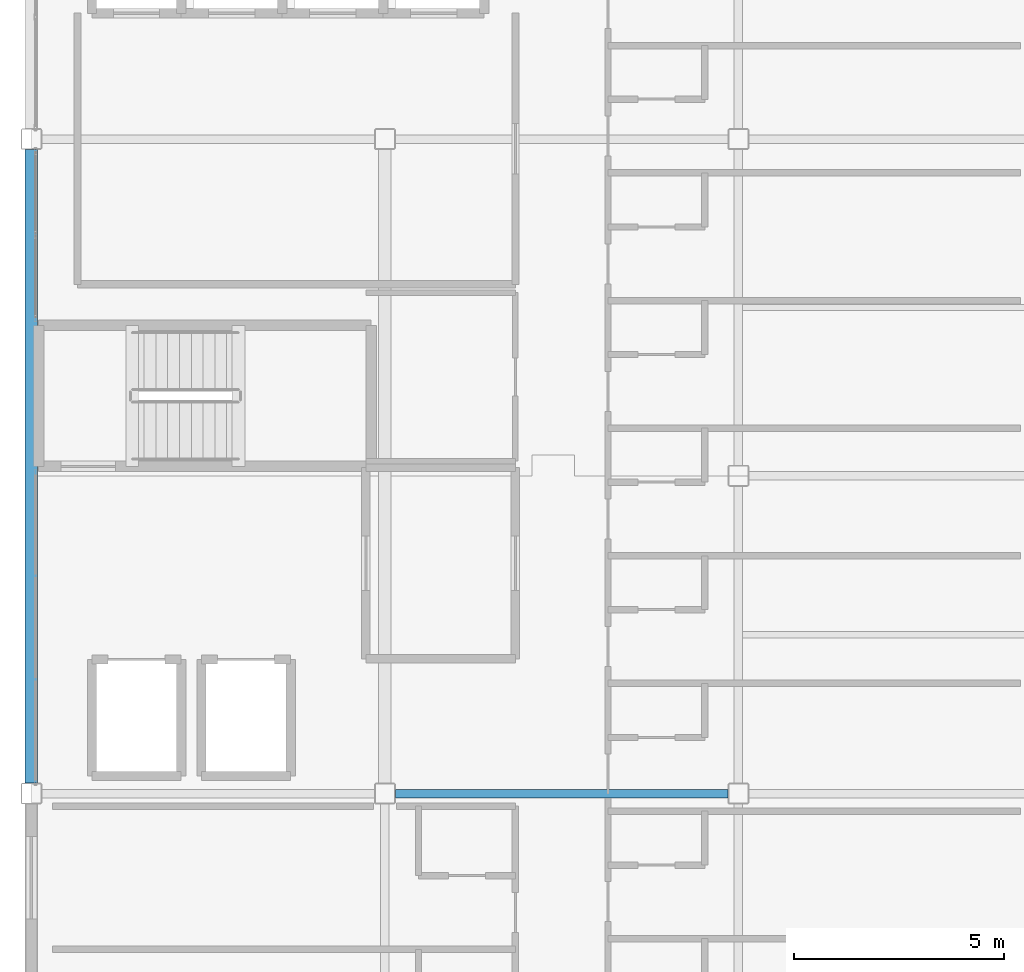
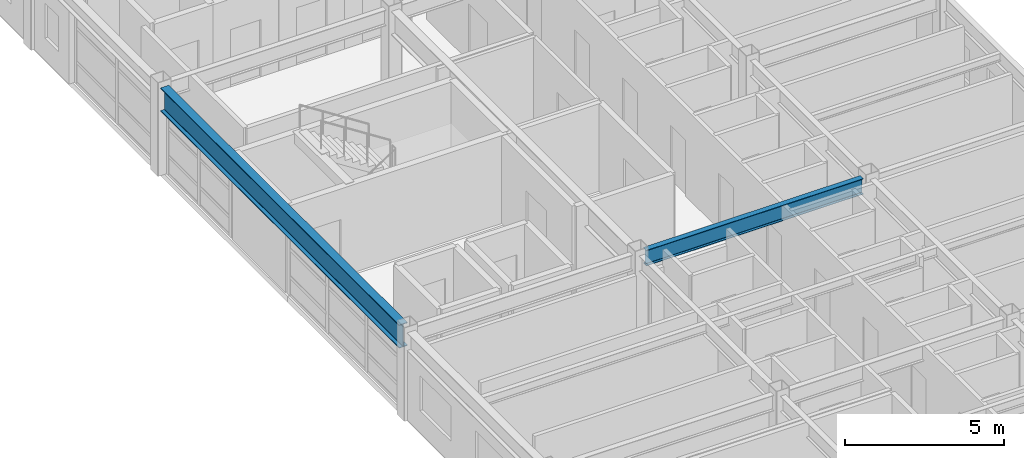
# One storey, part 11 of 33: 2 beams.
"""IFC4 building model written with IfcOpenShell, lengths in metres."""

from ifc_helpers import new_model, si_unit, direction, frame, origin, origin_2d, place, context, subcontext, project, spatial, i_section, extrude, material, material_profile, profile_set, type_object, element, save


model = new_model("IFC4")

# Units and contexts
model_context = context("Model", 3, precision=1e-05, world=origin(), true_north=direction((0.0, 1.0)))
body_context = subcontext(model_context, "Body", "Model", "MODEL_VIEW")
ifc_project = project(units=[si_unit("LENGTHUNIT", "METRE"), si_unit("AREAUNIT", "SQUARE_METRE"), si_unit("VOLUMEUNIT", "CUBIC_METRE"), si_unit("PLANEANGLEUNIT", "RADIAN"), si_unit("MASSUNIT", "GRAM", prefix="KILO")], contexts=[model_context])

# Site, building, storey
site_placement = place(None, origin())
site = spatial("IfcSite", under=ifc_project, at=site_placement, CompositionType="ELEMENT")
building_placement = place(site_placement, origin())
building = spatial("IfcBuilding", under=site, at=building_placement, Name="Kazehara Bluff Congress Hotel", CompositionType="ELEMENT")
storey_placement = place(building_placement, frame((0.0, 0.0, 39.0)))
storey = spatial("IfcBuildingStorey", under=building, at=storey_placement, Name="L09", CompositionType="ELEMENT", Elevation=39.0)

# Beams
ifc_material_1 = material(Name="Steel SN490B", Category="steel")
ifc_material_profile_1 = material_profile(ifc_material_1, i_section(OverallWidth=0.199951171875, OverallDepth=0.60009765625, WebThickness=0.010986328125, FlangeThickness=0.01708984375, FilletRadius=0.012939453125, at=origin_2d()))
ifc_profile_set_1 = profile_set([ifc_material_profile_1], Name="Steel SN490B")
beam_type_1 = type_object("IfcBeamType", Name="TP-G-02", PredefinedType="BEAM", material=ifc_profile_set_1)
beam_1_placement = place(storey_placement, frame((152.35009765625, 40.89990234375, 3.080078125), z_axis=(1.0, 0.0, 0.0), x_axis=(0.0, 1.0, 0.0)))
element("IfcBeam", 1, at=beam_1_placement, inside=storey, type_object=beam_type_1, Name="L09 girder G-02 49", PredefinedType="BEAM", context=body_context, shape_type="SweptSolid", body=[
    extrude(i_section(OverallWidth=0.199951171875, OverallDepth=0.60009765625, WebThickness=0.010986328125, FlangeThickness=0.01708984375, FilletRadius=0.012939453125, at=origin_2d()), origin(), (0.0, 0.0, 1.0), 7.89990234375),
])
ifc_material_2 = material(Name="Steel SN490B", Category="steel")
ifc_material_profile_2 = material_profile(ifc_material_2, i_section(OverallWidth=0.300048828125, OverallDepth=0.89990234375, WebThickness=0.01611328125, FlangeThickness=0.028076171875, FilletRadius=0.01806640625, at=origin_2d()))
ifc_profile_set_2 = profile_set([ifc_material_profile_2], Name="Steel SN490B")
beam_type_2 = type_object("IfcBeamType", Name="TP-G-08", PredefinedType="BEAM", material=ifc_profile_set_2)
beam_2_placement = place(storey_placement, frame((143.699951171875, 41.14990234375, 2.929931640625), z_axis=(0.0, 1.0, 0.0), x_axis=(-1.0, 0.0, 0.0)))
element("IfcBeam", 2, at=beam_2_placement, inside=storey, type_object=beam_type_2, Name="L09 girder G-08 5", PredefinedType="BEAM", context=body_context, shape_type="SweptSolid", body=[
    extrude(i_section(OverallWidth=0.300048828125, OverallDepth=0.89990234375, WebThickness=0.01611328125, FlangeThickness=0.028076171875, FilletRadius=0.01806640625, at=origin_2d()), origin(), (0.0, 0.0, 1.0), 15.050048828125),
])

save(model, "model.ifc")
